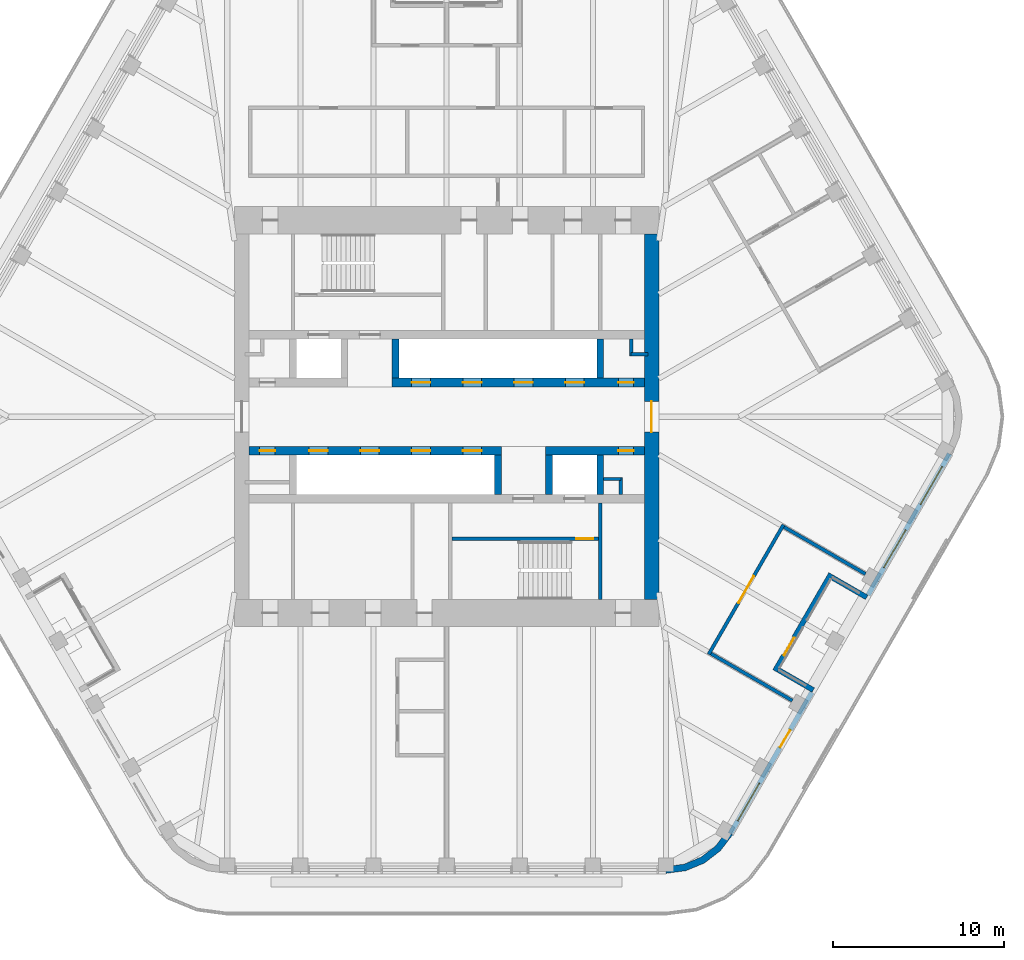
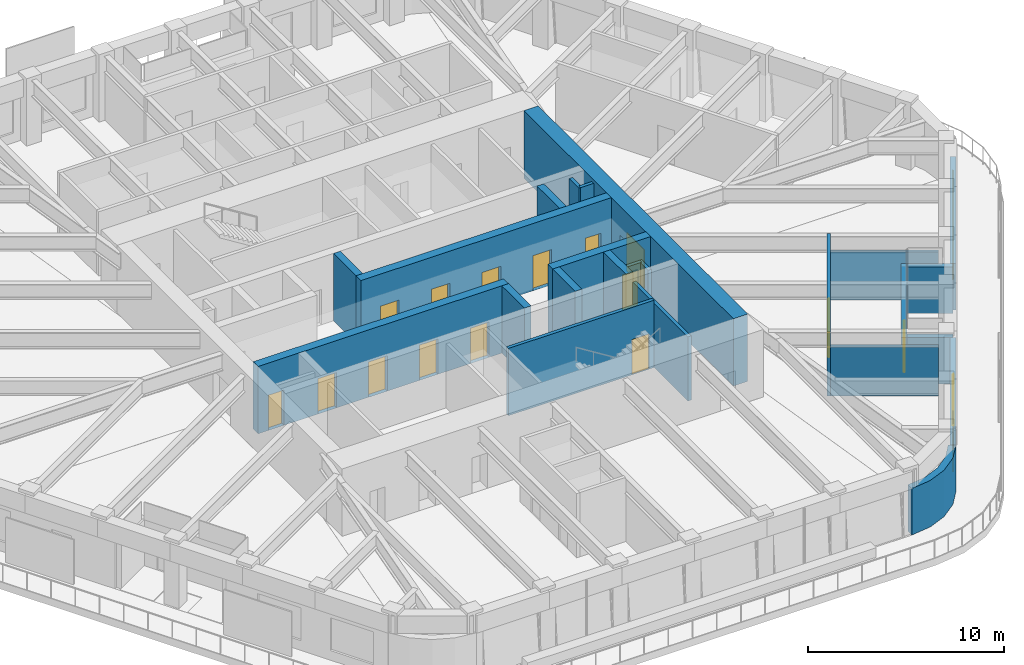
# One storey, part 14 of 19: 24 walls, 16 doors, 3 windows, 19 openings.
"""IFC4 building model written with IfcOpenShell, lengths in metres."""

import ifcopenshell
import ifcopenshell.guid

model = None  # the IFC model being written
_history = None  # IfcOwnerHistory: only IFC2X3 demands one
_inside = {}  # id of a spatial element -> (the spatial element, [elements in it])
_under = {}  # id of a project, library or spatial element -> (it, [spatial elements below it])
_declared = {}  # id of a project -> (the project, [libraries it declares])
_typed = {}  # id of a type object -> (the type object, [elements of that type])
_made_of = {}  # id of a material, layer set ... -> (it, [elements and type objects made of it])


def new_model(schema):
    """Start an empty IFC model of exactly this schema.

    Asked for "IFC4X3", IfcOpenShell would pick the latest addendum, in which some entities
    have other attributes; the version numbers below select the first issue.
    IFC2X3 requires an IfcOwnerHistory on every rooted entity: one is made here for all.
    """
    global model, _history
    if schema == "IFC4X3":
        model = ifcopenshell.file(schema_version=(4, 3, 0, 0))
    else:
        model = ifcopenshell.file(schema=schema)
    _inside.clear()
    _under.clear()
    _declared.clear()
    _typed.clear()
    _made_of.clear()
    _history = None
    if model.schema == "IFC2X3":
        org = make("IfcOrganization", Name="unknown")
        user = make(
            "IfcPersonAndOrganization",
            ThePerson=make("IfcPerson", FamilyName="unknown"),
            TheOrganization=org,
        )
        app = make(
            "IfcApplication",
            ApplicationDeveloper=org,
            Version="unknown",
            ApplicationFullName="unknown",
            ApplicationIdentifier="unknown",
        )
        _history = make(
            "IfcOwnerHistory",
            OwningUser=user,
            OwningApplication=app,
            ChangeAction="ADDED",
            CreationDate=0,
        )
    return model


def make(cls, **values):
    """One entity of the class cls with the attributes given. An attribute that is None is left unset."""
    return model.create_entity(
        cls, **{name: value for name, value in values.items() if value is not None}
    )


def rooted(cls, **values):
    """An entity with a GlobalId (a new one), such as an element, a storey or a relation."""
    return make(cls, GlobalId=ifcopenshell.guid.new(), OwnerHistory=_history, **values)


def si_unit(unit_type, name, prefix=None):
    """IfcSIUnit, for example si_unit("LENGTHUNIT", "METRE", prefix="MILLI")."""
    return make("IfcSIUnit", UnitType=unit_type, Prefix=prefix, Name=name)


def assignment(units):
    """IfcUnitAssignment: the units of a project."""
    return None if units is None else make("IfcUnitAssignment", Units=units)


def point(xyz):
    """IfcCartesianPoint."""
    return None if xyz is None else make("IfcCartesianPoint", Coordinates=xyz)


def direction(xyz):
    """IfcDirection."""
    return None if xyz is None else make("IfcDirection", DirectionRatios=xyz)


def frame(location, z_axis=None, x_axis=None):
    """IfcAxis2Placement3D, a coordinate frame: its origin and axes. An axis left out is left unset."""
    return make(
        "IfcAxis2Placement3D",
        Location=point(location),
        Axis=direction(z_axis),
        RefDirection=direction(x_axis),
    )


def frame_2d(location, x_axis=None):
    """IfcAxis2Placement2D, a coordinate frame in the plane: its origin and x axis."""
    return make(
        "IfcAxis2Placement2D", Location=point(location), RefDirection=direction(x_axis)
    )


def origin():
    """The frame at (0, 0, 0) with its axes left unset."""
    return frame((0.0, 0.0, 0.0))


def place(relative_to, where):
    """IfcLocalPlacement: puts the frame where relative to a parent placement (None: the world)."""
    return make(
        "IfcLocalPlacement", PlacementRelTo=relative_to, RelativePlacement=where
    )


def context(
    kind, dimensions, precision=None, world=None, true_north=None, identifier=None
):
    """IfcGeometricRepresentationContext, for example the 3D "Model" context."""
    return make(
        "IfcGeometricRepresentationContext",
        ContextIdentifier=identifier,
        ContextType=kind,
        CoordinateSpaceDimension=dimensions,
        Precision=precision,
        WorldCoordinateSystem=world,
        TrueNorth=true_north,
    )


def subcontext(parent, identifier, kind, view, scale=None):
    """IfcGeometricRepresentationSubContext, for example "Body" below "Model"."""
    return make(
        "IfcGeometricRepresentationSubContext",
        ContextIdentifier=identifier,
        ContextType=kind,
        ParentContext=parent,
        TargetScale=scale,
        TargetView=view,
    )


def project(units=None, contexts=None):
    """IfcProject with its units and contexts."""
    return rooted(
        "IfcProject",
        Name="project",
        RepresentationContexts=contexts,
        UnitsInContext=assignment(units),
    )


def spatial(cls, under=None, at=None, **own):
    """A site, building, storey or space (cls), placed at a placement, below another one or the project."""
    s = rooted(cls, ObjectPlacement=at, **own)
    if under is not None:
        _under.setdefault(under.id(), (under, []))[1].append(s)
    return s


def polyline(points):
    """IfcPolyline through the points."""
    return make("IfcPolyline", Points=[point(p) for p in points])


def profile(cls, at=None, kind="AREA", **sizes):
    """A parametric profile (cls). Its sizes go by their IFC names, for example OverallWidth=200.0."""
    return make(cls, ProfileType=kind, Position=at, **sizes)


def rectangle(**sizes):
    """IfcRectangleProfileDef."""
    return profile("IfcRectangleProfileDef", **sizes)


def outline(outer, holes=None, kind="AREA"):
    """IfcArbitraryClosedProfileDef: a profile drawn as a closed curve; with holes, ...WithVoids."""
    if holes is None:
        return make("IfcArbitraryClosedProfileDef", ProfileType=kind, OuterCurve=outer)
    return make(
        "IfcArbitraryProfileDefWithVoids",
        ProfileType=kind,
        OuterCurve=outer,
        InnerCurves=holes,
    )


def extrude(swept, where, along, depth):
    """IfcExtrudedAreaSolid: the profile swept, set in the frame where, extruded along a direction by depth."""
    return make(
        "IfcExtrudedAreaSolid",
        SweptArea=swept,
        Position=where,
        ExtrudedDirection=direction(along),
        Depth=depth,
    )


def shape(context_of_items, identifier, shape_type, items):
    """IfcShapeRepresentation: the items that make up one representation, for example the "Body"."""
    return make(
        "IfcShapeRepresentation",
        ContextOfItems=context_of_items,
        RepresentationIdentifier=identifier,
        RepresentationType=shape_type,
        Items=items,
    )


def material(Name=None, Category=None):
    """IfcMaterial."""
    return make("IfcMaterial", Name=Name, Category=Category)


def layer(
    of_material, thickness, ventilated=None, Name=None, Category=None, Priority=None
):
    """IfcMaterialLayer: one layer of a wall or slab, of a material (None: an air gap)."""
    return make(
        "IfcMaterialLayer",
        Material=of_material,
        LayerThickness=thickness,
        IsVentilated=ventilated,
        Name=Name,
        Category=Category,
        Priority=Priority,
    )


def layer_set(layers, Name=None):
    """IfcMaterialLayerSet."""
    return make("IfcMaterialLayerSet", MaterialLayers=layers, LayerSetName=Name)


def made_of(thing, what):
    """Note that an element or type object is made of a material, layer set ...; save() writes the relation."""
    if what is not None:
        _made_of.setdefault(what.id(), (what, []))[1].append(thing)
    return thing


def type_object(cls, material=None, **own):
    """A type object (cls), such as IfcWallType, which elements share."""
    return made_of(rooted(cls, **own), material)


def element(
    cls,
    number,
    at=None,
    inside=None,
    cuts=None,
    type_object=None,
    material=None,
    context=None,
    identifier="Body",
    shape_type=None,
    held_by="IfcProductDefinitionShape",
    body=None,
    shapes=None,
    **own,
):
    """One element of the class cls, such as IfcWall. Its Tag is "e" and its number.

    at: its placement. inside: the storey or other place that contains it. cuts: it is an
    opening in that element (IfcRelVoidsElement). A single representation is given by context,
    identifier, shape_type and body (its items); several are given by shapes. held_by: the class
    of the entity that holds the representations. save() writes the other relations.
    """
    e = rooted(cls, Tag="e%d" % number, ObjectPlacement=at, **own)
    if body is not None:
        shapes = [shape(context, identifier, shape_type, body)]
    if shapes is not None:
        e.Representation = make(held_by, Representations=shapes)
    if inside is not None:
        _inside.setdefault(inside.id(), (inside, []))[1].append(e)
    if cuts is not None:
        rooted(
            "IfcRelVoidsElement", RelatingBuildingElement=cuts, RelatedOpeningElement=e
        )
    if type_object is not None:
        _typed.setdefault(type_object.id(), (type_object, []))[1].append(e)
    return made_of(e, material)


def fill(opening, filler):
    """IfcRelFillsElement: the door or window that sits in an opening."""
    return rooted(
        "IfcRelFillsElement",
        RelatingOpeningElement=opening,
        RelatedBuildingElement=filler,
    )


def aggregate(whole, parts):
    """IfcRelAggregates: a whole, such as a stair, and the parts it consists of."""
    return rooted("IfcRelAggregates", RelatingObject=whole, RelatedObjects=parts)


def save(model, path):
    """Write the relations noted so far, then the file.

    IfcRelAggregates (storeys below a building ...), IfcRelContainedInSpatialStructure (elements
    in a storey), IfcRelDefinesByType, IfcRelAssociatesMaterial and IfcRelDeclares: one each for
    every whole, place, type object, material and project.
    """
    for whole, parts in _under.values():
        aggregate(whole, parts)
    for where, things in _inside.values():
        rooted(
            "IfcRelContainedInSpatialStructure",
            RelatedElements=things,
            RelatingStructure=where,
        )
    for kind, things in _typed.values():
        rooted("IfcRelDefinesByType", RelatedObjects=things, RelatingType=kind)
    for what, things in _made_of.values():
        rooted("IfcRelAssociatesMaterial", RelatedObjects=things, RelatingMaterial=what)
    for by, libraries in _declared.values():
        rooted("IfcRelDeclares", RelatingContext=by, RelatedDefinitions=libraries)
    model.write(path)


model = new_model("IFC4")

# Units and contexts
model_context = context("Model", 3, precision=1e-05, world=origin(), true_north=direction((0.0, 1.0)))
body_context = subcontext(model_context, "Body", "Model", "MODEL_VIEW")
ifc_project = project(units=[si_unit("LENGTHUNIT", "METRE"), si_unit("AREAUNIT", "SQUARE_METRE"), si_unit("VOLUMEUNIT", "CUBIC_METRE"), si_unit("PLANEANGLEUNIT", "RADIAN"), si_unit("MASSUNIT", "GRAM", prefix="KILO")], contexts=[model_context])

# Site, building, storey
site_placement = place(None, origin())
site = spatial("IfcSite", under=ifc_project, at=site_placement, CompositionType="ELEMENT")
building_placement = place(site_placement, origin())
building = spatial("IfcBuilding", under=site, at=building_placement, Name="Tarfa Lantern Tower", CompositionType="ELEMENT")
storey_placement = place(building_placement, frame((0.0, 0.0, 370.300048828125)))
storey = spatial("IfcBuildingStorey", under=building, at=storey_placement, Name="L84", CompositionType="ELEMENT", Elevation=370.300048828125)

# Wall, openings, door, window
ifc_material_1 = material(Name="Limestone cladding on blockwork", Category="masonry")
ifc_layer_1 = layer(ifc_material_1, 0.300048828125)
ifc_layer_set_1 = layer_set([ifc_layer_1], Name="EW1 STONE-CLAD WALL 300")
wall_type_1 = type_object("IfcWallType", Name="EW1 STONE-CLAD WALL 300", PredefinedType="SOLIDWALL", material=ifc_layer_set_1)
wall_1_placement = place(storey_placement, frame((16.61328125, -24.425048828125, 0.0), z_axis=(0.0, 0.0, 1.0), x_axis=(0.499996453679, 0.866027451244, 0.0)))
wall_1 = element("IfcWall", 1, at=wall_1_placement, inside=storey, type_object=wall_type_1, Name="Stone wall SE", PredefinedType="SOLIDWALL", context=body_context, shape_type="SweptSolid", body=[
    extrude(rectangle(XDim=9.56396484375, YDim=0.300048828125, at=frame_2d((4.781982421875, 0.0))), origin(), (0.0, 0.0, 1.0), 2.89990234375),
])
opening_1_placement = place(wall_1_placement, frame((0.865966796875, 0.0, 0.60009765625)))
opening_1 = element("IfcOpeningElement", 2, at=opening_1_placement, cuts=wall_1, Name="Opening W17", PredefinedType="OPENING", context=body_context, shape_type="SweptSolid", body=[
    extrude(rectangle(XDim=2.550048828125, YDim=2.050048828125, at=frame_2d((1.27490234375, 1.02490234375))), frame((0.0, 0.159912109375, 0.0), z_axis=(0.0, -1.0, 0.0), x_axis=(1.0, 0.0, 0.0)), (0.0, 0.0, 1.0), 0.320068359375),
])
opening_2_placement = place(wall_1_placement, frame((5.822998046875, 0.0, 0.0)))
opening_2 = element("IfcOpeningElement", 3, at=opening_2_placement, cuts=wall_1, Name="Opening D36", PredefinedType="OPENING", context=body_context, shape_type="SweptSolid", body=[
    extrude(rectangle(XDim=1.199951171875, YDim=2.39990234375, at=frame_2d((0.60009765625, 1.199951171875))), frame((0.0, 0.159912109375, 0.0), z_axis=(0.0, -1.0, 0.0), x_axis=(1.0, 0.0, 0.0)), (0.0, 0.0, 1.0), 0.320068359375),
])
ifc_material_2 = material(Name="Aluminium framed glazed door", Category="aluminium")
door_type_1 = type_object("IfcDoorType", Name="BE3 BALCONY DOOR 1200x2400", OperationType="SINGLE_SWING_RIGHT", PredefinedType="DOOR", material=ifc_material_2)
door_1_placement = place(opening_2_placement, origin())
door_1 = element("IfcDoor", 4, at=door_1_placement, inside=storey, type_object=door_type_1, Name="Balcony door SE", OperationType="SINGLE_SWING_LEFT", OverallHeight=2.39990234375, OverallWidth=1.199951171875, PredefinedType="DOOR", context=body_context, shape_type="SweptSolid", body=[
    extrude(rectangle(XDim=1.199951171875, YDim=2.39990234375, at=frame_2d((0.60009765625, 1.199951171875))), frame((0.0, 0.02490234375, 0.0), z_axis=(0.0, -1.0, 0.0), x_axis=(1.0, 0.0, 0.0)), (0.0, 0.0, 1.0), 0.050048828125),
])
fill(opening_2, door_1)
ifc_material_3 = material(Name="Aluminium frame, double glazed", Category="aluminium")
window_type = type_object("IfcWindowType", Name="W17 FULL-HEIGHT GLAZING 2550x2050", PartitioningType="SINGLE_PANEL", PredefinedType="WINDOW", material=ifc_material_3)
window_1_placement = place(opening_1_placement, origin())
window_1 = element("IfcWindow", 5, at=window_1_placement, inside=storey, type_object=window_type, Name="Window SE 1", OverallHeight=2.050048828125, OverallWidth=2.550048828125, PartitioningType="SINGLE_PANEL", PredefinedType="WINDOW", context=body_context, shape_type="SweptSolid", body=[
    extrude(rectangle(XDim=2.550048828125, YDim=2.050048828125, at=frame_2d((1.27490234375, 1.02490234375))), frame((0.0, 0.030029296875, 0.0), z_axis=(0.0, -1.0, 0.0), x_axis=(1.0, 0.0, 0.0)), (0.0, 0.0, 1.0), 0.06005859375),
])
fill(opening_1, window_1)

# Wall, openings, windows
wall_2_placement = place(storey_placement, frame((24.67724609375, -10.457763671875, 0.0), z_axis=(0.0, 0.0, 1.0), x_axis=(0.499996453679, 0.866027451244, 0.0)))
wall_2 = element("IfcWall", 6, at=wall_2_placement, inside=storey, type_object=wall_type_1, Name="Stone wall SEB", PredefinedType="SOLIDWALL", context=body_context, shape_type="SweptSolid", body=[
    extrude(rectangle(XDim=9.56396484375, YDim=0.300048828125, at=frame_2d((4.781982421875, 0.0))), origin(), (0.0, 0.0, 1.0), 2.89990234375),
])
opening_3_placement = place(wall_2_placement, frame((1.865966796875, 0.0, 0.60009765625)))
opening_3 = element("IfcOpeningElement", 7, at=opening_3_placement, cuts=wall_2, Name="Opening W17", PredefinedType="OPENING", context=body_context, shape_type="SweptSolid", body=[
    extrude(rectangle(XDim=2.550048828125, YDim=2.050048828125, at=frame_2d((1.27490234375, 1.02490234375))), frame((0.0, 0.159912109375, 0.0), z_axis=(0.0, -1.0, 0.0), x_axis=(1.0, 0.0, 0.0)), (0.0, 0.0, 1.0), 0.320068359375),
])
opening_4_placement = place(wall_2_placement, frame((6.14794921875, 0.0, 0.60009765625)))
opening_4 = element("IfcOpeningElement", 8, at=opening_4_placement, cuts=wall_2, Name="Opening W17", PredefinedType="OPENING", context=body_context, shape_type="SweptSolid", body=[
    extrude(rectangle(XDim=2.550048828125, YDim=2.050048828125, at=frame_2d((1.27490234375, 1.02490234375))), frame((0.0, 0.159912109375, 0.0), z_axis=(0.0, -1.0, 0.0), x_axis=(1.0, 0.0, 0.0)), (0.0, 0.0, 1.0), 0.320068359375),
])
window_2_placement = place(opening_3_placement, origin())
window_2 = element("IfcWindow", 9, at=window_2_placement, inside=storey, type_object=window_type, Name="Window SEB 1", OverallHeight=2.050048828125, OverallWidth=2.550048828125, PartitioningType="SINGLE_PANEL", PredefinedType="WINDOW", context=body_context, shape_type="SweptSolid", body=[
    extrude(rectangle(XDim=2.550048828125, YDim=2.050048828125, at=frame_2d((1.27490234375, 1.02490234375))), frame((0.0, 0.030029296875, 0.0), z_axis=(0.0, -1.0, 0.0), x_axis=(1.0, 0.0, 0.0)), (0.0, 0.0, 1.0), 0.06005859375),
])
fill(opening_3, window_2)
window_3_placement = place(opening_4_placement, origin())
window_3 = element("IfcWindow", 10, at=window_3_placement, inside=storey, type_object=window_type, Name="Window SEB 2", OverallHeight=2.050048828125, OverallWidth=2.550048828125, PartitioningType="SINGLE_PANEL", PredefinedType="WINDOW", context=body_context, shape_type="SweptSolid", body=[
    extrude(rectangle(XDim=2.550048828125, YDim=2.050048828125, at=frame_2d((1.27490234375, 1.02490234375))), frame((0.0, 0.030029296875, 0.0), z_axis=(0.0, -1.0, 0.0), x_axis=(1.0, 0.0, 0.0)), (0.0, 0.0, 1.0), 0.06005859375),
])
fill(opening_4, window_3)

# Walls
for number, where, z_axis, x_axis, name in (
    (11, (21.47021484375, -16.012451171875, 0.0), (0.0, 0.0, 1.0), (-0.866016039709, 0.500016218704, 0.0), "Terrace return SE 1"),
    (12, (24.602294921875, -10.587646484375, 0.0), (0.0, 0.0, 1.0), (-0.866016039709, 0.500016218704, 0.0), "Terrace return SE 2"),
):
    element("IfcWall", number, at=place(storey_placement, frame(where, z_axis=z_axis, x_axis=x_axis)), inside=storey, type_object=wall_type_1, Name=name, PredefinedType="SOLIDWALL", context=body_context, shape_type="SweptSolid", body=[
        extrude(rectangle(XDim=2.35009765625, YDim=0.300048828125, at=frame_2d((1.175048828125, 0.0))), origin(), (0.0, 0.0, 1.0), 2.89990234375),
    ])

# Wall, opening, door
wall_3_placement = place(storey_placement, frame((19.230224609375, -14.892333984375, 0.0), z_axis=(0.0, 0.0, 1.0), x_axis=(0.499999339774, 0.866025784966, 0.0)))
wall_3 = element("IfcWall", 13, at=wall_3_placement, inside=storey, type_object=wall_type_1, Name="Stone wall SES", PredefinedType="SOLIDWALL", context=body_context, shape_type="SweptSolid", body=[
    extrude(rectangle(XDim=6.56396484375, YDim=0.300048828125, at=frame_2d((3.281982421875, 0.0))), origin(), (0.0, 0.0, 1.0), 2.89990234375),
])
opening_5_placement = place(wall_3_placement, frame((1.041015625, 0.0, 0.0)))
opening_5 = element("IfcOpeningElement", 14, at=opening_5_placement, cuts=wall_3, Name="Opening D37", PredefinedType="OPENING", context=body_context, shape_type="SweptSolid", body=[
    extrude(rectangle(XDim=1.199951171875, YDim=2.39990234375, at=frame_2d((0.60009765625, 1.199951171875))), frame((0.0, 0.159912109375, 0.0), z_axis=(0.0, -1.0, 0.0), x_axis=(1.0, 0.0, 0.0)), (0.0, 0.0, 1.0), 0.320068359375),
])
door_2_placement = place(opening_5_placement, origin())
door_2 = element("IfcDoor", 15, at=door_2_placement, inside=storey, type_object=door_type_1, Name="Balcony door SES", OperationType="SINGLE_SWING_RIGHT", OverallHeight=2.39990234375, OverallWidth=1.199951171875, PredefinedType="DOOR", context=body_context, shape_type="SweptSolid", body=[
    extrude(rectangle(XDim=1.199951171875, YDim=2.39990234375, at=frame_2d((0.60009765625, 1.199951171875))), frame((0.0, 0.02490234375, 0.0), z_axis=(0.0, -1.0, 0.0), x_axis=(1.0, 0.0, 0.0)), (0.0, 0.0, 1.0), 0.050048828125),
])
fill(opening_5, door_2)

# Walls
ifc_layer_2 = layer(ifc_material_1, 0.39990234375)
ifc_layer_set_2 = layer_set([ifc_layer_2], Name="EW2 CURVED STONE CORNER 400")
wall_type_2 = type_object("IfcWallType", Name="EW2 CURVED STONE CORNER 400", PredefinedType="SOLIDWALL", material=ifc_layer_set_2)
wall_4_placement = place(storey_placement, origin())
element("IfcWall", 16, at=wall_4_placement, inside=storey, type_object=wall_type_2, Name="Stone corner S-SE", PredefinedType="SOLIDWALL", context=body_context, shape_type="SweptSolid", body=[
    extrude(outline(polyline([(12.845947265625, -26.75), (14.0107421875, -26.5966796875), (15.095947265625, -26.147216796875), (16.028076171875, -25.431884765625), (16.7431640625, -24.5), (16.396728515625, -24.300048828125), (15.7451171875, -25.149169921875), (14.89599609375, -25.80078125), (13.9072265625, -26.210205078125), (12.845947265625, -26.35009765625), (12.845947265625, -26.75)])), origin(), (0.0, 0.0, 1.0), 2.89990234375),
])
ifc_material_4 = material(Name="Concrete blockwork", Category="masonry")
ifc_layer_3 = layer(ifc_material_4, 0.199951171875)
ifc_layer_set_3 = layer_set([ifc_layer_3], Name="IW1 BLOCKWORK PARTITION 200 EI 120")
wall_type_3 = type_object("IfcWallType", Name="IW1 BLOCKWORK PARTITION 200 EI 120", PredefinedType="PARTITIONING", material=ifc_layer_set_3)
wall_5_placement = place(storey_placement, frame((9.0, -5.050048828125, 0.0), z_axis=(0.0, 0.0, 1.0), x_axis=(0.0, -1.0, 0.0)))
element("IfcWall", 17, at=wall_5_placement, inside=storey, type_object=wall_type_3, Name="Core partition", PredefinedType="PARTITIONING", context=body_context, shape_type="SweptSolid", body=[
    extrude(rectangle(XDim=5.64990234375, YDim=0.199951171875, at=frame_2d((2.824951171875, 0.0))), origin(), (0.0, 0.0, 1.0), 4.0),
])
for number, where, z_axis, x_axis, name in (
    (18, (10.800048828125, 3.64990234375, 0.0), (0.0, 0.0, 1.0), (1.0, 0.0, 0.0), "Core partition"),
    (19, (10.800048828125, 3.550048828125, 0.0), (0.0, 0.0, 1.0), (0.0, 1.0, 0.0), "Core partition"),
    (20, (10.199951171875, -3.64990234375, 0.0), (0.0, 0.0, 1.0), (-1.0, 0.0, 0.0), "Core partition"),
    (21, (10.199951171875, -3.550048828125, 0.0), (0.0, 0.0, 1.0), (0.0, -1.0, 0.0), "Core partition"),
):
    element("IfcWall", number, at=place(storey_placement, frame(where, z_axis=z_axis, x_axis=x_axis)), inside=storey, type_object=wall_type_3, Name=name, PredefinedType="PARTITIONING", context=body_context, shape_type="SweptSolid", body=[
        extrude(rectangle(XDim=1.0, YDim=0.199951171875, at=frame_2d((0.5, 0.0))), origin(), (0.0, 0.0, 1.0), 4.0),
    ])

# Wall, opening, door
ifc_material_5 = material(Name="Gypsum board on steel studs", Category="steel")
ifc_layer_4 = layer(ifc_material_5, 0.2099609375)
ifc_layer_set_4 = layer_set([ifc_layer_4], Name="IW2 ACOUSTIC PARTITION 200")
wall_type_4 = type_object("IfcWallType", Name="IW2 ACOUSTIC PARTITION 200", PredefinedType="PARTITIONING", material=ifc_layer_set_4)
wall_6_placement = place(storey_placement, frame((15.345947265625, -13.919921875, 0.0), z_axis=(0.0, 0.0, 1.0), x_axis=(0.500006995557, 0.86602136486, 0.0)))
wall_6 = element("IfcWall", 22, at=wall_6_placement, inside=storey, type_object=wall_type_4, Name="Partition", PredefinedType="PARTITIONING", context=body_context, shape_type="SweptSolid", body=[
    extrude(rectangle(XDim=8.763916015625, YDim=0.199951171875, at=frame_2d((4.3818359375, 0.0))), origin(), (0.0, 0.0, 1.0), 4.0),
])
opening_6_placement = place(wall_6_placement, frame((3.48193359375, 0.0, 0.0)))
opening_6 = element("IfcOpeningElement", 23, at=opening_6_placement, cuts=wall_6, Name="Opening D27", PredefinedType="OPENING", context=body_context, shape_type="SweptSolid", body=[
    extrude(rectangle(XDim=1.800048828125, YDim=2.39990234375, at=frame_2d((0.89990234375, 1.199951171875))), frame((0.0, 0.10986328125, 0.0), z_axis=(0.0, -1.0, 0.0), x_axis=(1.0, 0.0, 0.0)), (0.0, 0.0, 1.0), 0.219970703125),
])
ifc_material_6 = material(Name="Timber door", Category="wood")
door_type_2 = type_object("IfcDoorType", Name="DR2 ROOM DOOR 1800x2400", OperationType="DOUBLE_DOOR_SINGLE_SWING", PredefinedType="DOOR", material=ifc_material_6)
door_3_placement = place(opening_6_placement, frame((1.800048828125, 0.0, 0.0), z_axis=(0.0, 0.0, 1.0), x_axis=(-1.0, 0.0, 0.0)))
door_3 = element("IfcDoor", 24, at=door_3_placement, inside=storey, type_object=door_type_2, Name="Majlis door", OperationType="DOUBLE_DOOR_SINGLE_SWING", OverallHeight=2.39990234375, OverallWidth=1.800048828125, PredefinedType="DOOR", context=body_context, shape_type="SweptSolid", body=[
    extrude(rectangle(XDim=1.800048828125, YDim=2.39990234375, at=frame_2d((0.89990234375, 1.199951171875))), frame((0.0, 0.02490234375, 0.0), z_axis=(0.0, -1.0, 0.0), x_axis=(1.0, 0.0, 0.0)), (0.0, 0.0, 1.0), 0.050048828125),
])
fill(opening_6, door_3)

# Walls
wall_7_placement = place(storey_placement, frame((15.482666015625, -13.88330078125, 0.0), z_axis=(0.0, 0.0, 1.0), x_axis=(0.866027397988, -0.499996545922, 0.0)))
element("IfcWall", 25, at=wall_7_placement, inside=storey, type_object=wall_type_4, Name="Partition", PredefinedType="PARTITIONING", context=body_context, shape_type="SweptSolid", body=[
    extrude(rectangle(XDim=5.5, YDim=0.199951171875, at=frame_2d((2.75, 0.0))), origin(), (0.0, 0.0, 1.0), 3.08154296875),
])
wall_8_placement = place(storey_placement, frame((19.7646484375, -6.466552734375, 0.0), z_axis=(0.0, 0.0, 1.0), x_axis=(0.866027397988, -0.499996545922, 0.0)))
element("IfcWall", 26, at=wall_8_placement, inside=storey, type_object=wall_type_4, Name="Partition", PredefinedType="PARTITIONING", context=body_context, shape_type="SweptSolid", body=[
    extrude(rectangle(XDim=5.5, YDim=0.199951171875, at=frame_2d((2.75, 0.0))), origin(), (0.0, 0.0, 1.0), 2.991943359375),
])

# Wall, opening, door
ifc_material_7 = material(Name="Concrete C80/95", Category="concrete")
ifc_layer_5 = layer(ifc_material_7, 0.199951171875)
ifc_layer_set_5 = layer_set([ifc_layer_5], Name="SW12 CORE WALL 200")
wall_type_5 = type_object("IfcWallType", Name="SW12 CORE WALL 200", PredefinedType="SHEAR", material=ifc_layer_set_5)
wall_9_placement = place(storey_placement, frame((8.89990234375, -7.14990234375, 0.0), z_axis=(0.0, 0.0, 1.0), x_axis=(-1.0, 0.0, 0.0)))
wall_9 = element("IfcWall", 27, at=wall_9_placement, inside=storey, type_object=wall_type_5, Name="Core wall stair partition S", PredefinedType="SHEAR", context=body_context, shape_type="SweptSolid", body=[
    extrude(rectangle(XDim=8.599853515625, YDim=0.199951171875, at=frame_2d((4.2998046875, 0.0))), origin(), (0.0, 0.0, 1.0), 4.199951171875),
])
opening_7_placement = place(wall_9_placement, frame((0.300048828125, 0.0, 0.0)))
opening_7 = element("IfcOpeningElement", 28, at=opening_7_placement, cuts=wall_9, Name="Opening D20", PredefinedType="OPENING", context=body_context, shape_type="SweptSolid", body=[
    extrude(rectangle(XDim=1.0, YDim=2.199951171875, at=frame_2d((0.5, 1.10009765625))), frame((0.0, 0.10986328125, 0.0), z_axis=(0.0, -1.0, 0.0), x_axis=(1.0, 0.0, 0.0)), (0.0, 0.0, 1.0), 0.219970703125),
])
ifc_material_8 = material(Name="Steel fire door", Category="steel")
door_type_3 = type_object("IfcDoorType", Name="DF2 STAIR DOOR 1000x2200", OperationType="SINGLE_SWING_LEFT", PredefinedType="DOOR", material=ifc_material_8)
door_4_placement = place(opening_7_placement, origin())
door_4 = element("IfcDoor", 29, at=door_4_placement, inside=storey, type_object=door_type_3, Name="Stair door", OperationType="SINGLE_SWING_RIGHT", OverallHeight=2.199951171875, OverallWidth=1.0, PredefinedType="DOOR", context=body_context, shape_type="SweptSolid", body=[
    extrude(rectangle(XDim=1.0, YDim=2.199951171875, at=frame_2d((0.5, 1.10009765625))), frame((0.0, 0.02490234375, 0.0), z_axis=(0.0, -1.0, 0.0), x_axis=(1.0, 0.0, 0.0)), (0.0, 0.0, 1.0), 0.050048828125),
])
fill(opening_7, door_4)

ifc_layer_6 = layer(ifc_material_7, 0.85009765625)
ifc_layer_set_6 = layer_set([ifc_layer_6], Name="SW3 CORE WALL 850")
wall_type_6 = type_object("IfcWallType", Name="SW3 CORE WALL 850", PredefinedType="SHEAR", material=ifc_layer_set_6)
wall_10_placement = place(storey_placement, frame((12.0, -10.699951171875, 0.0), z_axis=(0.0, 0.0, 1.0), x_axis=(0.0, 1.0, 0.0)))
wall_10 = element("IfcWall", 30, at=wall_10_placement, inside=storey, type_object=wall_type_6, Name="Core wall E", PredefinedType="SHEAR", context=body_context, shape_type="SweptSolid", body=[
    extrude(rectangle(XDim=21.39990234375, YDim=0.85009765625, at=frame_2d((10.699951171875, 0.0))), origin(), (0.0, 0.0, 1.0), 4.199951171875),
])
opening_8_placement = place(wall_10_placement, frame((9.800048828125, 0.0, 0.0)))
opening_8 = element("IfcOpeningElement", 31, at=opening_8_placement, cuts=wall_10, Name="Opening D07", PredefinedType="OPENING", context=body_context, shape_type="SweptSolid", body=[
    extrude(rectangle(XDim=1.800048828125, YDim=2.39990234375, at=frame_2d((0.89990234375, 1.199951171875))), frame((0.0, 0.43505859375, 0.0), z_axis=(0.0, -1.0, 0.0), x_axis=(1.0, 0.0, 0.0)), (0.0, 0.0, 1.0), 0.8701171875),
])
door_type_4 = type_object("IfcDoorType", Name="DL1 LOBBY DOOR 1800x2400", OperationType="DOUBLE_DOOR_SINGLE_SWING", PredefinedType="DOOR", material=ifc_material_8)
door_5_placement = place(opening_8_placement, frame((1.800048828125, 0.0, 0.0), z_axis=(0.0, 0.0, 1.0), x_axis=(-1.0, 0.0, 0.0)))
door_5 = element("IfcDoor", 32, at=door_5_placement, inside=storey, type_object=door_type_4, Name="Lift lobby door", OperationType="DOUBLE_DOOR_SINGLE_SWING", OverallHeight=2.39990234375, OverallWidth=1.800048828125, PredefinedType="DOOR", context=body_context, shape_type="SweptSolid", body=[
    extrude(rectangle(XDim=1.800048828125, YDim=2.39990234375, at=frame_2d((0.89990234375, 1.199951171875))), frame((0.0, 0.02490234375, 0.0), z_axis=(0.0, -1.0, 0.0), x_axis=(1.0, 0.0, 0.0)), (0.0, 0.0, 1.0), 0.050048828125),
])
fill(opening_8, door_5)

# Wall, openings, doors
ifc_layer_7 = layer(ifc_material_7, 0.5)
ifc_layer_set_7 = layer_set([ifc_layer_7], Name="SW5 CORE WALL 500")
wall_type_7 = type_object("IfcWallType", Name="SW5 CORE WALL 500", PredefinedType="SHEAR", material=ifc_layer_set_7)
wall_11_placement = place(storey_placement, frame((-3.199951171875, 2.0, 0.0), z_axis=(0.0, 0.0, 1.0), x_axis=(1.0, 0.0, 0.0)))
wall_11 = element("IfcWall", 33, at=wall_11_placement, inside=storey, type_object=wall_type_7, Name="Core wall lobby east N", PredefinedType="SHEAR", context=body_context, shape_type="SweptSolid", body=[
    extrude(rectangle(XDim=14.77490234375, YDim=0.5, at=frame_2d((7.387451171875, 0.0))), origin(), (0.0, 0.0, 1.0), 4.199951171875),
])
opening_9_placement = place(wall_11_placement, frame((13.25, 0.0, 0.0)))
opening_9 = element("IfcOpeningElement", 34, at=opening_9_placement, cuts=wall_11, Name="Opening D09", PredefinedType="OPENING", context=body_context, shape_type="SweptSolid", body=[
    extrude(rectangle(XDim=0.89990234375, YDim=2.199951171875, at=frame_2d((0.449951171875, 1.10009765625))), frame((0.0, 0.260009765625, 0.0), z_axis=(0.0, -1.0, 0.0), x_axis=(1.0, 0.0, 0.0)), (0.0, 0.0, 1.0), 0.52001953125),
])
opening_10_placement = place(wall_11_placement, frame((1.14990234375, 0.0, 0.0)))
opening_10 = element("IfcOpeningElement", 35, at=opening_10_placement, cuts=wall_11, Name="Opening LD03", PredefinedType="OPENING", context=body_context, shape_type="SweptSolid", body=[
    extrude(rectangle(XDim=1.10009765625, YDim=2.199951171875, at=frame_2d((0.550048828125, 1.10009765625))), frame((0.0, 0.260009765625, 0.0), z_axis=(0.0, -1.0, 0.0), x_axis=(1.0, 0.0, 0.0)), (0.0, 0.0, 1.0), 0.52001953125),
])
opening_11_placement = place(wall_11_placement, frame((4.14990234375, 0.0, 0.0)))
opening_11 = element("IfcOpeningElement", 36, at=opening_11_placement, cuts=wall_11, Name="Opening LD04", PredefinedType="OPENING", context=body_context, shape_type="SweptSolid", body=[
    extrude(rectangle(XDim=1.10009765625, YDim=2.199951171875, at=frame_2d((0.550048828125, 1.10009765625))), frame((0.0, 0.260009765625, 0.0), z_axis=(0.0, -1.0, 0.0), x_axis=(1.0, 0.0, 0.0)), (0.0, 0.0, 1.0), 0.52001953125),
])
opening_12_placement = place(wall_11_placement, frame((7.14990234375, 0.0, 0.0)))
opening_12 = element("IfcOpeningElement", 37, at=opening_12_placement, cuts=wall_11, Name="Opening LD05", PredefinedType="OPENING", context=body_context, shape_type="SweptSolid", body=[
    extrude(rectangle(XDim=1.10009765625, YDim=2.199951171875, at=frame_2d((0.550048828125, 1.10009765625))), frame((0.0, 0.260009765625, 0.0), z_axis=(0.0, -1.0, 0.0), x_axis=(1.0, 0.0, 0.0)), (0.0, 0.0, 1.0), 0.52001953125),
])
opening_13_placement = place(wall_11_placement, frame((10.14990234375, 0.0, 0.0)))
opening_13 = element("IfcOpeningElement", 38, at=opening_13_placement, cuts=wall_11, Name="Opening LD06", PredefinedType="OPENING", context=body_context, shape_type="SweptSolid", body=[
    extrude(rectangle(XDim=1.10009765625, YDim=2.199951171875, at=frame_2d((0.550048828125, 1.10009765625))), frame((0.0, 0.260009765625, 0.0), z_axis=(0.0, -1.0, 0.0), x_axis=(1.0, 0.0, 0.0)), (0.0, 0.0, 1.0), 0.52001953125),
])
door_type_5 = type_object("IfcDoorType", Name="DF6 SERVICE ROOM DOOR 900x2200", OperationType="SINGLE_SWING_LEFT", PredefinedType="DOOR", material=ifc_material_8)
door_6_placement = place(opening_9_placement, origin())
door_6 = element("IfcDoor", 39, at=door_6_placement, inside=storey, type_object=door_type_5, Name="Service room door", OperationType="SINGLE_SWING_LEFT", OverallHeight=2.199951171875, OverallWidth=0.89990234375, PredefinedType="DOOR", context=body_context, shape_type="SweptSolid", body=[
    extrude(rectangle(XDim=0.89990234375, YDim=2.199951171875, at=frame_2d((0.449951171875, 1.10009765625))), frame((0.0, 0.02490234375, 0.0), z_axis=(0.0, -1.0, 0.0), x_axis=(1.0, 0.0, 0.0)), (0.0, 0.0, 1.0), 0.050048828125),
])
fill(opening_9, door_6)
ifc_material_9 = material(Name="Stainless steel lift door", Category="steel")
door_type_6 = type_object("IfcDoorType", Name="LD2 LIFT LANDING DOOR 1100x2200", OperationType="SLIDING_TO_LEFT", PredefinedType="DOOR", material=ifc_material_9)
door_7_placement = place(opening_10_placement, frame((1.10009765625, 0.0, 0.0), z_axis=(0.0, 0.0, 1.0), x_axis=(-1.0, 0.0, 0.0)))
door_7 = element("IfcDoor", 40, at=door_7_placement, inside=storey, type_object=door_type_6, Name="Landing door PD1", OperationType="SLIDING_TO_LEFT", OverallHeight=2.199951171875, OverallWidth=1.10009765625, PredefinedType="DOOR", context=body_context, shape_type="SweptSolid", body=[
    extrude(rectangle(XDim=1.10009765625, YDim=2.199951171875, at=frame_2d((0.550048828125, 1.10009765625))), frame((0.0, 0.02490234375, 0.0), z_axis=(0.0, -1.0, 0.0), x_axis=(1.0, 0.0, 0.0)), (0.0, 0.0, 1.0), 0.050048828125),
])
fill(opening_10, door_7)
door_8_placement = place(opening_11_placement, frame((1.10009765625, 0.0, 0.0), z_axis=(0.0, 0.0, 1.0), x_axis=(-1.0, 0.0, 0.0)))
door_8 = element("IfcDoor", 41, at=door_8_placement, inside=storey, type_object=door_type_6, Name="Landing door PD2", OperationType="SLIDING_TO_LEFT", OverallHeight=2.199951171875, OverallWidth=1.10009765625, PredefinedType="DOOR", context=body_context, shape_type="SweptSolid", body=[
    extrude(rectangle(XDim=1.10009765625, YDim=2.199951171875, at=frame_2d((0.550048828125, 1.10009765625))), frame((0.0, 0.02490234375, 0.0), z_axis=(0.0, -1.0, 0.0), x_axis=(1.0, 0.0, 0.0)), (0.0, 0.0, 1.0), 0.050048828125),
])
fill(opening_11, door_8)
door_9_placement = place(opening_12_placement, frame((1.10009765625, 0.0, 0.0), z_axis=(0.0, 0.0, 1.0), x_axis=(-1.0, 0.0, 0.0)))
door_9 = element("IfcDoor", 42, at=door_9_placement, inside=storey, type_object=door_type_6, Name="Landing door PD3", OperationType="SLIDING_TO_LEFT", OverallHeight=2.199951171875, OverallWidth=1.10009765625, PredefinedType="DOOR", context=body_context, shape_type="SweptSolid", body=[
    extrude(rectangle(XDim=1.10009765625, YDim=2.199951171875, at=frame_2d((0.550048828125, 1.10009765625))), frame((0.0, 0.02490234375, 0.0), z_axis=(0.0, -1.0, 0.0), x_axis=(1.0, 0.0, 0.0)), (0.0, 0.0, 1.0), 0.050048828125),
])
fill(opening_12, door_9)
door_10_placement = place(opening_13_placement, frame((1.10009765625, 0.0, 0.0), z_axis=(0.0, 0.0, 1.0), x_axis=(-1.0, 0.0, 0.0)))
door_10 = element("IfcDoor", 43, at=door_10_placement, inside=storey, type_object=door_type_6, Name="Landing door PD4", OperationType="SLIDING_TO_LEFT", OverallHeight=2.199951171875, OverallWidth=1.10009765625, PredefinedType="DOOR", context=body_context, shape_type="SweptSolid", body=[
    extrude(rectangle(XDim=1.10009765625, YDim=2.199951171875, at=frame_2d((0.550048828125, 1.10009765625))), frame((0.0, 0.02490234375, 0.0), z_axis=(0.0, -1.0, 0.0), x_axis=(1.0, 0.0, 0.0)), (0.0, 0.0, 1.0), 0.050048828125),
])
fill(opening_13, door_10)

# Wall, opening, door
wall_12_placement = place(storey_placement, frame((11.574951171875, -2.0, 0.0), z_axis=(0.0, 0.0, 1.0), x_axis=(-1.0, 0.0, 0.0)))
wall_12 = element("IfcWall", 44, at=wall_12_placement, inside=storey, type_object=wall_type_7, Name="Core wall lobby west S", PredefinedType="SHEAR", context=body_context, shape_type="SweptSolid", body=[
    extrude(rectangle(XDim=5.77490234375, YDim=0.5, at=frame_2d((2.887451171875, 0.0))), origin(), (0.0, 0.0, 1.0), 4.199951171875),
])
opening_14_placement = place(wall_12_placement, frame((0.625, 0.0, 0.0)))
opening_14 = element("IfcOpeningElement", 45, at=opening_14_placement, cuts=wall_12, Name="Opening D12", PredefinedType="OPENING", context=body_context, shape_type="SweptSolid", body=[
    extrude(rectangle(XDim=0.89990234375, YDim=2.199951171875, at=frame_2d((0.449951171875, 1.10009765625))), frame((0.0, 0.260009765625, 0.0), z_axis=(0.0, -1.0, 0.0), x_axis=(1.0, 0.0, 0.0)), (0.0, 0.0, 1.0), 0.52001953125),
])
door_11_placement = place(opening_14_placement, origin())
door_11 = element("IfcDoor", 46, at=door_11_placement, inside=storey, type_object=door_type_5, Name="Service room door", OperationType="SINGLE_SWING_RIGHT", OverallHeight=2.199951171875, OverallWidth=0.89990234375, PredefinedType="DOOR", context=body_context, shape_type="SweptSolid", body=[
    extrude(rectangle(XDim=0.89990234375, YDim=2.199951171875, at=frame_2d((0.449951171875, 1.10009765625))), frame((0.0, 0.02490234375, 0.0), z_axis=(0.0, -1.0, 0.0), x_axis=(1.0, 0.0, 0.0)), (0.0, 0.0, 1.0), 0.050048828125),
])
fill(opening_14, door_11)

# Wall, openings, doors
wall_13_placement = place(storey_placement, frame((3.199951171875, -2.0, 0.0), z_axis=(0.0, 0.0, 1.0), x_axis=(-1.0, 0.0, 0.0)))
wall_13 = element("IfcWall", 47, at=wall_13_placement, inside=storey, type_object=wall_type_7, Name="Core wall lobby east S", PredefinedType="SHEAR", context=body_context, shape_type="SweptSolid", body=[
    extrude(rectangle(XDim=14.77490234375, YDim=0.5, at=frame_2d((7.387451171875, 0.0))), origin(), (0.0, 0.0, 1.0), 4.199951171875),
])
opening_15_placement = place(wall_13_placement, frame((13.25, 0.0, 0.0)))
opening_15 = element("IfcOpeningElement", 48, at=opening_15_placement, cuts=wall_13, Name="Opening D10", PredefinedType="OPENING", context=body_context, shape_type="SweptSolid", body=[
    extrude(rectangle(XDim=0.89990234375, YDim=2.199951171875, at=frame_2d((0.449951171875, 1.10009765625))), frame((0.0, 0.260009765625, 0.0), z_axis=(0.0, -1.0, 0.0), x_axis=(1.0, 0.0, 0.0)), (0.0, 0.0, 1.0), 0.52001953125),
])
opening_16_placement = place(wall_13_placement, frame((1.14990234375, 0.0, 0.0)))
opening_16 = element("IfcOpeningElement", 49, at=opening_16_placement, cuts=wall_13, Name="Opening LD07", PredefinedType="OPENING", context=body_context, shape_type="SweptSolid", body=[
    extrude(rectangle(XDim=1.10009765625, YDim=2.199951171875, at=frame_2d((0.550048828125, 1.10009765625))), frame((0.0, 0.260009765625, 0.0), z_axis=(0.0, -1.0, 0.0), x_axis=(1.0, 0.0, 0.0)), (0.0, 0.0, 1.0), 0.52001953125),
])
opening_17_placement = place(wall_13_placement, frame((4.14990234375, 0.0, 0.0)))
opening_17 = element("IfcOpeningElement", 50, at=opening_17_placement, cuts=wall_13, Name="Opening LD08", PredefinedType="OPENING", context=body_context, shape_type="SweptSolid", body=[
    extrude(rectangle(XDim=1.10009765625, YDim=2.199951171875, at=frame_2d((0.550048828125, 1.10009765625))), frame((0.0, 0.260009765625, 0.0), z_axis=(0.0, -1.0, 0.0), x_axis=(1.0, 0.0, 0.0)), (0.0, 0.0, 1.0), 0.52001953125),
])
opening_18_placement = place(wall_13_placement, frame((7.14990234375, 0.0, 0.0)))
opening_18 = element("IfcOpeningElement", 51, at=opening_18_placement, cuts=wall_13, Name="Opening LD09", PredefinedType="OPENING", context=body_context, shape_type="SweptSolid", body=[
    extrude(rectangle(XDim=1.10009765625, YDim=2.199951171875, at=frame_2d((0.550048828125, 1.10009765625))), frame((0.0, 0.260009765625, 0.0), z_axis=(0.0, -1.0, 0.0), x_axis=(1.0, 0.0, 0.0)), (0.0, 0.0, 1.0), 0.52001953125),
])
opening_19_placement = place(wall_13_placement, frame((10.14990234375, 0.0, 0.0)))
opening_19 = element("IfcOpeningElement", 52, at=opening_19_placement, cuts=wall_13, Name="Opening LD10", PredefinedType="OPENING", context=body_context, shape_type="SweptSolid", body=[
    extrude(rectangle(XDim=1.10009765625, YDim=2.199951171875, at=frame_2d((0.550048828125, 1.10009765625))), frame((0.0, 0.260009765625, 0.0), z_axis=(0.0, -1.0, 0.0), x_axis=(1.0, 0.0, 0.0)), (0.0, 0.0, 1.0), 0.52001953125),
])
door_12_placement = place(opening_15_placement, origin())
door_12 = element("IfcDoor", 53, at=door_12_placement, inside=storey, type_object=door_type_5, Name="Service room door", OperationType="SINGLE_SWING_LEFT", OverallHeight=2.199951171875, OverallWidth=0.89990234375, PredefinedType="DOOR", context=body_context, shape_type="SweptSolid", body=[
    extrude(rectangle(XDim=0.89990234375, YDim=2.199951171875, at=frame_2d((0.449951171875, 1.10009765625))), frame((0.0, 0.02490234375, 0.0), z_axis=(0.0, -1.0, 0.0), x_axis=(1.0, 0.0, 0.0)), (0.0, 0.0, 1.0), 0.050048828125),
])
fill(opening_15, door_12)
door_13_placement = place(opening_16_placement, frame((1.10009765625, 0.0, 0.0), z_axis=(0.0, 0.0, 1.0), x_axis=(-1.0, 0.0, 0.0)))
door_13 = element("IfcDoor", 54, at=door_13_placement, inside=storey, type_object=door_type_6, Name="Landing door PD5", OperationType="SLIDING_TO_LEFT", OverallHeight=2.199951171875, OverallWidth=1.10009765625, PredefinedType="DOOR", context=body_context, shape_type="SweptSolid", body=[
    extrude(rectangle(XDim=1.10009765625, YDim=2.199951171875, at=frame_2d((0.550048828125, 1.10009765625))), frame((0.0, 0.02490234375, 0.0), z_axis=(0.0, -1.0, 0.0), x_axis=(1.0, 0.0, 0.0)), (0.0, 0.0, 1.0), 0.050048828125),
])
fill(opening_16, door_13)
door_14_placement = place(opening_17_placement, frame((1.10009765625, 0.0, 0.0), z_axis=(0.0, 0.0, 1.0), x_axis=(-1.0, 0.0, 0.0)))
door_14 = element("IfcDoor", 55, at=door_14_placement, inside=storey, type_object=door_type_6, Name="Landing door PD6", OperationType="SLIDING_TO_LEFT", OverallHeight=2.199951171875, OverallWidth=1.10009765625, PredefinedType="DOOR", context=body_context, shape_type="SweptSolid", body=[
    extrude(rectangle(XDim=1.10009765625, YDim=2.199951171875, at=frame_2d((0.550048828125, 1.10009765625))), frame((0.0, 0.02490234375, 0.0), z_axis=(0.0, -1.0, 0.0), x_axis=(1.0, 0.0, 0.0)), (0.0, 0.0, 1.0), 0.050048828125),
])
fill(opening_17, door_14)
door_15_placement = place(opening_18_placement, frame((1.10009765625, 0.0, 0.0), z_axis=(0.0, 0.0, 1.0), x_axis=(-1.0, 0.0, 0.0)))
door_15 = element("IfcDoor", 56, at=door_15_placement, inside=storey, type_object=door_type_6, Name="Landing door PD7", OperationType="SLIDING_TO_LEFT", OverallHeight=2.199951171875, OverallWidth=1.10009765625, PredefinedType="DOOR", context=body_context, shape_type="SweptSolid", body=[
    extrude(rectangle(XDim=1.10009765625, YDim=2.199951171875, at=frame_2d((0.550048828125, 1.10009765625))), frame((0.0, 0.02490234375, 0.0), z_axis=(0.0, -1.0, 0.0), x_axis=(1.0, 0.0, 0.0)), (0.0, 0.0, 1.0), 0.050048828125),
])
fill(opening_18, door_15)
door_16_placement = place(opening_19_placement, frame((1.10009765625, 0.0, 0.0), z_axis=(0.0, 0.0, 1.0), x_axis=(-1.0, 0.0, 0.0)))
door_16 = element("IfcDoor", 57, at=door_16_placement, inside=storey, type_object=door_type_6, Name="Landing door PD8", OperationType="SLIDING_TO_LEFT", OverallHeight=2.199951171875, OverallWidth=1.10009765625, PredefinedType="DOOR", context=body_context, shape_type="SweptSolid", body=[
    extrude(rectangle(XDim=1.10009765625, YDim=2.199951171875, at=frame_2d((0.550048828125, 1.10009765625))), frame((0.0, 0.02490234375, 0.0), z_axis=(0.0, -1.0, 0.0), x_axis=(1.0, 0.0, 0.0)), (0.0, 0.0, 1.0), 0.050048828125),
])
fill(opening_19, door_16)

# Walls
ifc_layer_8 = layer(ifc_material_7, 0.39990234375)
ifc_layer_set_8 = layer_set([ifc_layer_8], Name="SW6 CORE WALL 400")
wall_type_8 = type_object("IfcWallType", Name="SW6 CORE WALL 400", PredefinedType="SHEAR", material=ifc_layer_set_8)
for number, where, z_axis, x_axis, name in (
    (58, (-3.0, 2.25, 0.0), (0.0, 0.0, 1.0), (0.0, 1.0, 0.0), "Core wall divider N"),
    (59, (9.0, 2.25, 0.0), (0.0, 0.0, 1.0), (0.0, 1.0, 0.0), "Core wall divider N"),
    (60, (9.0, -2.25, 0.0), (0.0, 0.0, 1.0), (0.0, -1.0, 0.0), "Core wall divider S"),
    (61, (6.0, -2.25, 0.0), (0.0, 0.0, 1.0), (0.0, -1.0, 0.0), "Core wall divider S"),
    (62, (3.0, -2.25, 0.0), (0.0, 0.0, 1.0), (0.0, -1.0, 0.0), "Core wall divider S"),
):
    element("IfcWall", number, at=place(storey_placement, frame(where, z_axis=z_axis, x_axis=x_axis)), inside=storey, type_object=wall_type_8, Name=name, PredefinedType="SHEAR", context=body_context, shape_type="SweptSolid", body=[
        extrude(rectangle(XDim=2.300048828125, YDim=0.39990234375, at=frame_2d((1.14990234375, 0.0))), origin(), (0.0, 0.0, 1.0), 4.199951171875),
    ])

save(model, "model.ifc")
